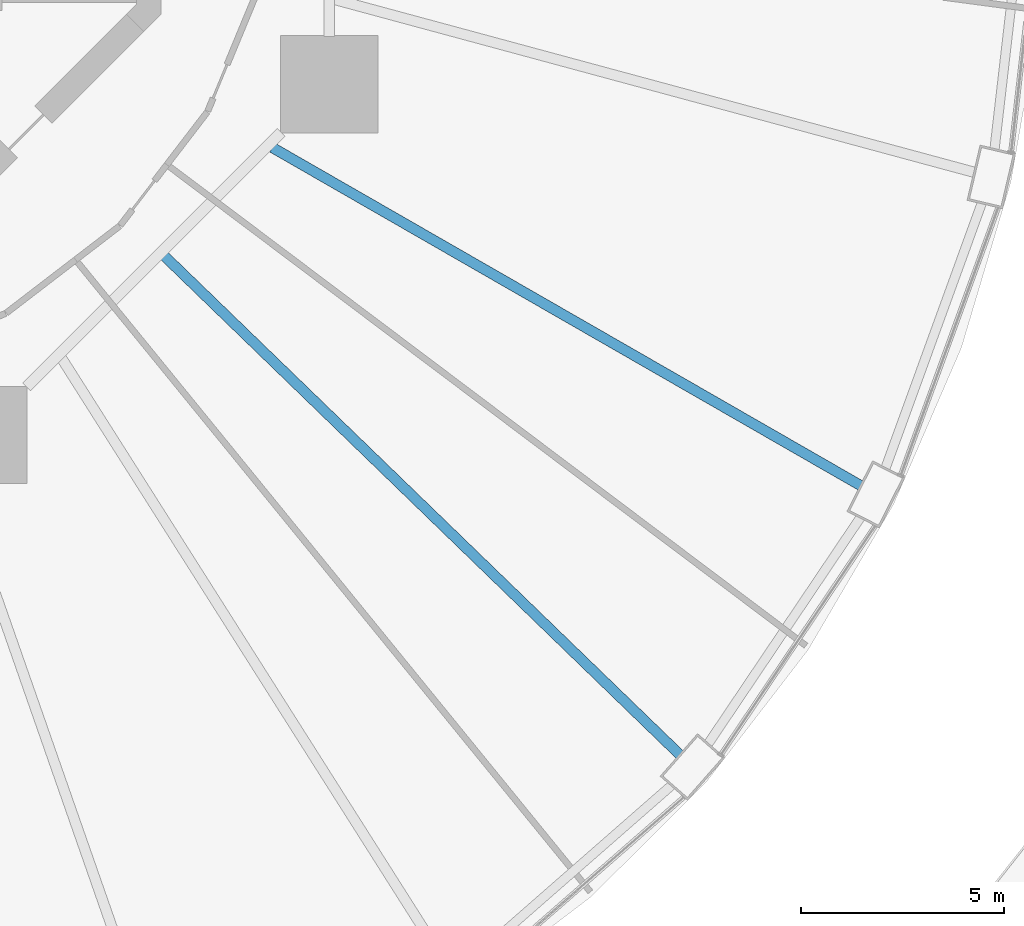
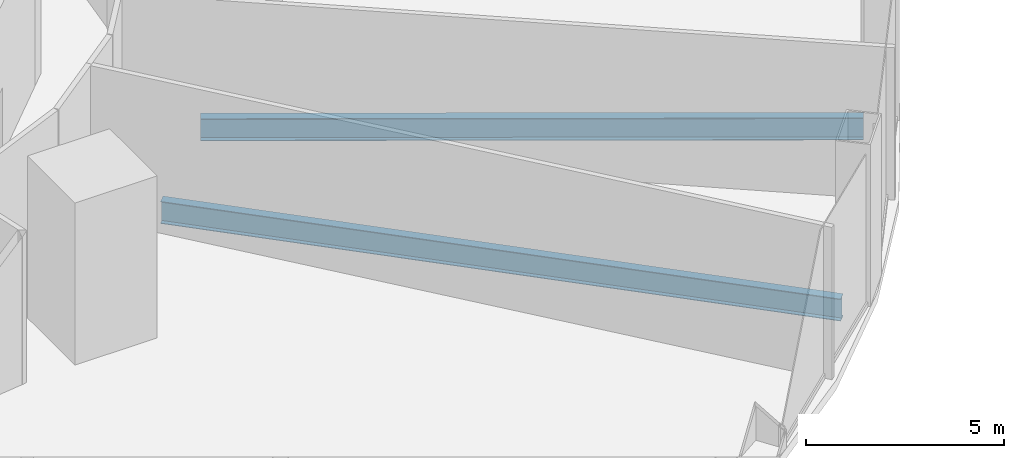
# One storey, part 14 of 48: 2 beams.
"""IFC4 building model written with IfcOpenShell, lengths in metres."""

from ifc_helpers import new_model, si_unit, direction, frame, origin, origin_2d, place, context, subcontext, project, spatial, i_section, extrude, material, material_profile, profile_set, type_object, element, save


model = new_model("IFC4")

# Units and contexts
model_context = context("Model", 3, precision=1e-05, world=origin(), true_north=direction((0.0, 1.0)))
body_context = subcontext(model_context, "Body", "Model", "MODEL_VIEW")
ifc_project = project(units=[si_unit("LENGTHUNIT", "METRE"), si_unit("AREAUNIT", "SQUARE_METRE"), si_unit("VOLUMEUNIT", "CUBIC_METRE"), si_unit("PLANEANGLEUNIT", "RADIAN"), si_unit("MASSUNIT", "GRAM", prefix="KILO")], contexts=[model_context])

# Site, building, storey
site_placement = place(None, origin())
site = spatial("IfcSite", under=ifc_project, at=site_placement, CompositionType="ELEMENT")
building_placement = place(site_placement, origin())
building = spatial("IfcBuilding", under=site, at=building_placement, Name="Nagisa Residences", CompositionType="ELEMENT")
storey_placement = place(building_placement, frame((0.0, 0.0, 12.0)))
storey = spatial("IfcBuildingStorey", under=building, at=storey_placement, Name="L02", CompositionType="ELEMENT", Elevation=12.0)

# Beams
ifc_material = material(Name="Steel ASTM A572 Gr 50", Category="steel")
ifc_material_profile = material_profile(ifc_material, i_section(OverallWidth=0.25390625, OverallDepth=0.68408203125, WebThickness=0.012451171875, FlangeThickness=0.018798828125, at=origin_2d()), Name="W690x140")
ifc_profile_set = profile_set([ifc_material_profile], Name="Steel ASTM A572 Gr 50")
beam_type = type_object("IfcBeamType", Name="Radial beam W690x140", PredefinedType="BEAM", material=ifc_profile_set)
beam_1_placement = place(storey_placement, frame((23.443115234375, -22.681640625, -0.64208984375), z_axis=(-0.718678305776, 0.695342716081, 0.0), x_axis=(-0.695342716081, -0.718678305776, 0.0)))
element("IfcBeam", 1, at=beam_1_placement, inside=storey, type_object=beam_type, Name="beam:L02:rb22", PredefinedType="BEAM", context=body_context, shape_type="SweptSolid", body=[
    extrude(i_section(OverallWidth=0.25390625, OverallDepth=0.68408203125, WebThickness=0.012451171875, FlangeThickness=0.018798828125, at=origin_2d()), origin(), (0.0, 0.0, 1.0), 17.722900390625),
])
beam_2_placement = place(storey_placement, frame((27.908447265625, -16.035400390625, -0.64208984375), z_axis=(-0.867068052258, 0.498189715623, 0.0), x_axis=(-0.498189715623, -0.867068052258, 0.0)))
element("IfcBeam", 2, at=beam_2_placement, inside=storey, type_object=beam_type, Name="beam:L02:rb23", PredefinedType="BEAM", context=body_context, shape_type="SweptSolid", body=[
    extrude(i_section(OverallWidth=0.25390625, OverallDepth=0.68408203125, WebThickness=0.012451171875, FlangeThickness=0.018798828125, at=origin_2d()), origin(), (0.0, 0.0, 1.0), 16.758056640625),
])

save(model, "model.ifc")
